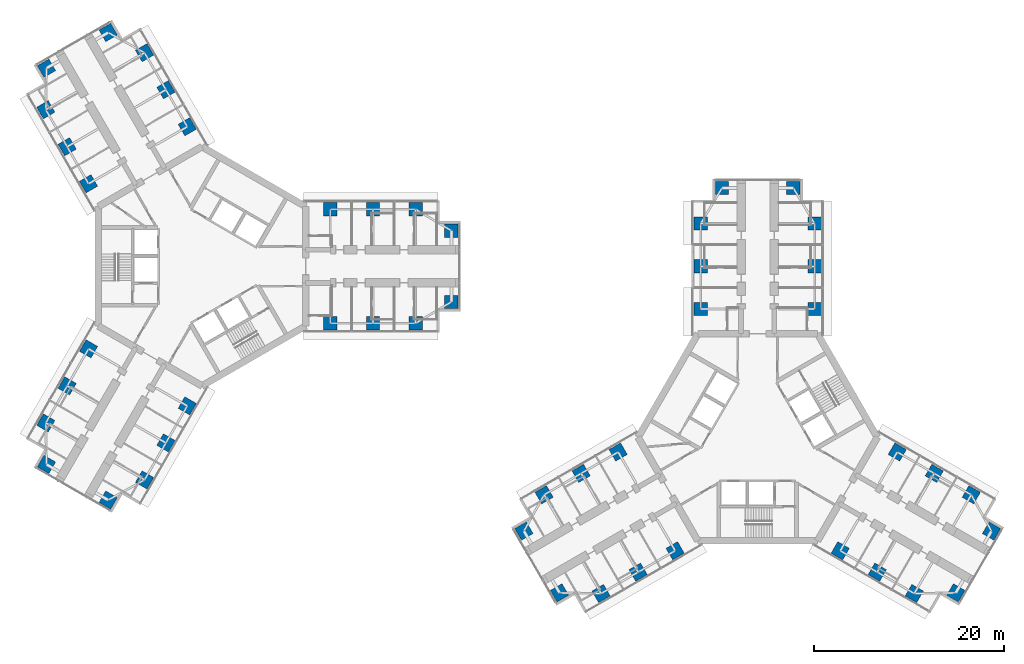
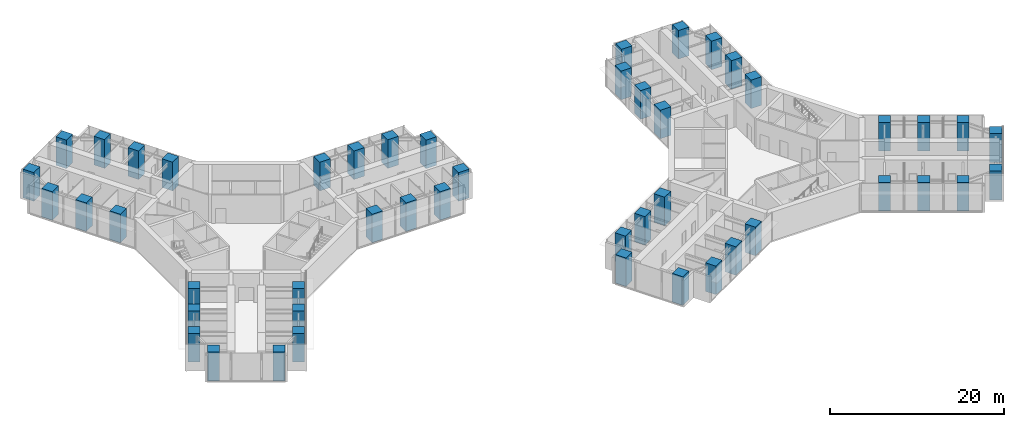
# One storey, part 1 of 25: 48 columns.
"""IFC4 building model written with IfcOpenShell, lengths in metres."""

from ifc_helpers import new_model, si_unit, direction, frame, origin, origin_2d, place, context, subcontext, project, spatial, rectangle, extrude, material, material_profile, profile_set, type_object, element, save


model = new_model("IFC4")

# Units and contexts
model_context = context("Model", 3, precision=1e-05, world=origin(), true_north=direction((0.0, 1.0)))
body_context = subcontext(model_context, "Body", "Model", "MODEL_VIEW")
ifc_project = project(units=[si_unit("LENGTHUNIT", "METRE"), si_unit("AREAUNIT", "SQUARE_METRE"), si_unit("VOLUMEUNIT", "CUBIC_METRE"), si_unit("PLANEANGLEUNIT", "RADIAN"), si_unit("MASSUNIT", "GRAM", prefix="KILO")], contexts=[model_context])

# Site, building, storey
site_placement = place(None, origin())
site = spatial("IfcSite", under=ifc_project, at=site_placement, CompositionType="ELEMENT")
building_placement = place(site_placement, origin())
building = spatial("IfcBuilding", under=site, at=building_placement, Name="Upepo Twin Towers", CompositionType="ELEMENT")
storey_placement = place(building_placement, frame((0.0, 0.0, 88.5)))
storey = spatial("IfcBuildingStorey", under=building, at=storey_placement, Name="L21", CompositionType="ELEMENT", Elevation=88.5)

# Columns
ifc_material = material(Name="Concrete C60/75", Category="concrete")
ifc_material_profile = material_profile(ifc_material, rectangle(XDim=1.39990234375, YDim=1.39990234375, at=origin_2d()), Name="RC 1400x1400")
ifc_profile_set = profile_set([ifc_material_profile], Name="Concrete C60/75")
column_type = type_object("IfcColumnType", Name="Tower column RC 1400x1400", PredefinedType="COLUMN", material=ifc_profile_set)
for number, where, z_axis, x_axis, name in (
    (1, (13.5, 6.0, 0.0), (0.0, 0.0, 1.0), (1.0, 0.0, 0.0), "T1 column AL135"),
    (2, (13.5, -6.0, 0.0), (0.0, 0.0, 1.0), (1.0, 0.0, 0.0), "T1 column AR135"),
    (3, (18.0, 6.0, 0.0), (0.0, 0.0, 1.0), (1.0, 0.0, 0.0), "T1 column AL180"),
    (4, (18.0, -6.0, 0.0), (0.0, 0.0, 1.0), (1.0, 0.0, 0.0), "T1 column AR180"),
    (5, (22.5, 6.0, 0.0), (0.0, 0.0, 1.0), (1.0, 0.0, 0.0), "T1 column AL225"),
    (6, (22.5, -6.0, 0.0), (0.0, 0.0, 1.0), (1.0, 0.0, 0.0), "T1 column AR225"),
    (7, (26.25, 3.75, 0.0), (0.0, 0.0, 1.0), (1.0, 0.0, 0.0), "T1 column ALN"),
    (8, (26.25, -3.75, 0.0), (0.0, 0.0, 1.0), (1.0, 0.0, 0.0), "T1 column ARN"),
    (9, (-11.946044921875, 8.69140625, 0.0), (0.0, 0.0, 1.0), (0.866025403784, 0.5, 0.0), "T1 column BL135"),
    (10, (-1.553955078125, 14.69140625, 0.0), (0.0, 0.0, 1.0), (0.866025403784, 0.5, 0.0), "T1 column BR135"),
    (11, (-14.196044921875, 12.58837890625, 0.0), (0.0, 0.0, 1.0), (0.866025403784, 0.5, 0.0), "T1 column BL180"),
    (12, (-3.803955078125, 18.58837890625, 0.0), (0.0, 0.0, 1.0), (0.866025403784, 0.5, 0.0), "T1 column BR180"),
    (13, (-16.446044921875, 16.485595703125, 0.0), (0.0, 0.0, 1.0), (0.866025403784, 0.5, 0.0), "T1 column BL225"),
    (14, (-6.053955078125, 22.485595703125, 0.0), (0.0, 0.0, 1.0), (0.866025403784, 0.5, 0.0), "T1 column BR225"),
    (15, (-16.37255859375, 20.858154296875, 0.0), (0.0, 0.0, 1.0), (0.866025403784, 0.5, 0.0), "T1 column BLN"),
    (16, (-9.87744140625, 24.608154296875, 0.0), (0.0, 0.0, 1.0), (0.866025403784, 0.5, 0.0), "T1 column BRN"),
    (17, (-1.553955078125, -14.69140625, 0.0), (0.0, 0.0, 1.0), (0.5, 0.866025403784, 0.0), "T1 column CL135"),
    (18, (-11.946044921875, -8.69140625, 0.0), (0.0, 0.0, 1.0), (0.5, 0.866025403784, 0.0), "T1 column CR135"),
    (19, (-3.803955078125, -18.58837890625, 0.0), (0.0, 0.0, 1.0), (0.5, 0.866025403784, 0.0), "T1 column CL180"),
    (20, (-14.196044921875, -12.58837890625, 0.0), (0.0, 0.0, 1.0), (0.5, 0.866025403784, 0.0), "T1 column CR180"),
    (21, (-6.053955078125, -22.485595703125, 0.0), (0.0, 0.0, 1.0), (0.5, 0.866025403784, 0.0), "T1 column CL225"),
    (22, (-16.446044921875, -16.485595703125, 0.0), (0.0, 0.0, 1.0), (0.5, 0.866025403784, 0.0), "T1 column CR225"),
    (23, (-9.87744140625, -24.608154296875, 0.0), (0.0, 0.0, 1.0), (0.5, 0.866025403784, 0.0), "T1 column CLN"),
    (24, (-16.37255859375, -20.858154296875, 0.0), (0.0, 0.0, 1.0), (0.5, 0.866025403784, 0.0), "T1 column CRN"),
    (25, (52.5, -4.5, 0.0), (0.0, 0.0, 1.0), (1.0, 0.0, 0.0), "T2 column AL135"),
    (26, (64.5, -4.5, 0.0), (0.0, 0.0, 1.0), (1.0, 0.0, 0.0), "T2 column AR135"),
    (27, (52.5, 0.0, 0.0), (0.0, 0.0, 1.0), (1.0, 0.0, 0.0), "T2 column AL180"),
    (28, (64.5, 0.0, 0.0), (0.0, 0.0, 1.0), (1.0, 0.0, 0.0), "T2 column AR180"),
    (29, (52.5, 4.5, 0.0), (0.0, 0.0, 1.0), (1.0, 0.0, 0.0), "T2 column AL225"),
    (30, (64.5, 4.5, 0.0), (0.0, 0.0, 1.0), (1.0, 0.0, 0.0), "T2 column AR225"),
    (31, (54.75, 8.25, 0.0), (0.0, 0.0, 1.0), (1.0, 0.0, 0.0), "T2 column ALN"),
    (32, (62.25, 8.25, 0.0), (0.0, 0.0, 1.0), (1.0, 0.0, 0.0), "T2 column ARN"),
    (33, (49.80859375, -29.946044921875, 0.0), (0.0, 0.0, 1.0), (0.866025403784, 0.5, 0.0), "T2 column BL135"),
    (34, (43.80859375, -19.553955078125, 0.0), (0.0, 0.0, 1.0), (0.866025403784, 0.5, 0.0), "T2 column BR135"),
    (35, (45.91162109375, -32.196044921875, 0.0), (0.0, 0.0, 1.0), (0.866025403784, 0.5, 0.0), "T2 column BL180"),
    (36, (39.91162109375, -21.803955078125, 0.0), (0.0, 0.0, 1.0), (0.866025403784, 0.5, 0.0), "T2 column BR180"),
    (37, (42.014404296875, -34.446044921875, 0.0), (0.0, 0.0, 1.0), (0.866025403784, 0.5, 0.0), "T2 column BL225"),
    (38, (36.014404296875, -24.053955078125, 0.0), (0.0, 0.0, 1.0), (0.866025403784, 0.5, 0.0), "T2 column BR225"),
    (39, (37.641845703125, -34.37255859375, 0.0), (0.0, 0.0, 1.0), (0.866025403784, 0.5, 0.0), "T2 column BLN"),
    (40, (33.891845703125, -27.87744140625, 0.0), (0.0, 0.0, 1.0), (0.866025403784, 0.5, 0.0), "T2 column BRN"),
    (41, (73.19140625, -19.553955078125, 0.0), (0.0, 0.0, 1.0), (0.5, 0.866025403784, 0.0), "T2 column CL135"),
    (42, (67.19140625, -29.946044921875, 0.0), (0.0, 0.0, 1.0), (0.5, 0.866025403784, 0.0), "T2 column CR135"),
    (43, (77.08837890625, -21.803955078125, 0.0), (0.0, 0.0, 1.0), (0.5, 0.866025403784, 0.0), "T2 column CL180"),
    (44, (71.08837890625, -32.196044921875, 0.0), (0.0, 0.0, 1.0), (0.5, 0.866025403784, 0.0), "T2 column CR180"),
    (45, (80.985595703125, -24.053955078125, 0.0), (0.0, 0.0, 1.0), (0.5, 0.866025403784, 0.0), "T2 column CL225"),
    (46, (74.985595703125, -34.446044921875, 0.0), (0.0, 0.0, 1.0), (0.5, 0.866025403784, 0.0), "T2 column CR225"),
    (47, (83.108154296875, -27.87744140625, 0.0), (0.0, 0.0, 1.0), (0.5, 0.866025403784, 0.0), "T2 column CLN"),
    (48, (79.358154296875, -34.37255859375, 0.0), (0.0, 0.0, 1.0), (0.5, 0.866025403784, 0.0), "T2 column CRN"),
):
    element("IfcColumn", number, at=place(storey_placement, frame(where, z_axis=z_axis, x_axis=x_axis)), inside=storey, type_object=column_type, Name=name, PredefinedType="COLUMN", context=body_context, shape_type="SweptSolid", body=[
        extrude(rectangle(XDim=1.39990234375, YDim=1.39990234375, at=origin_2d()), origin(), (0.0, 0.0, 1.0), 4.0),
    ])

save(model, "model.ifc")
